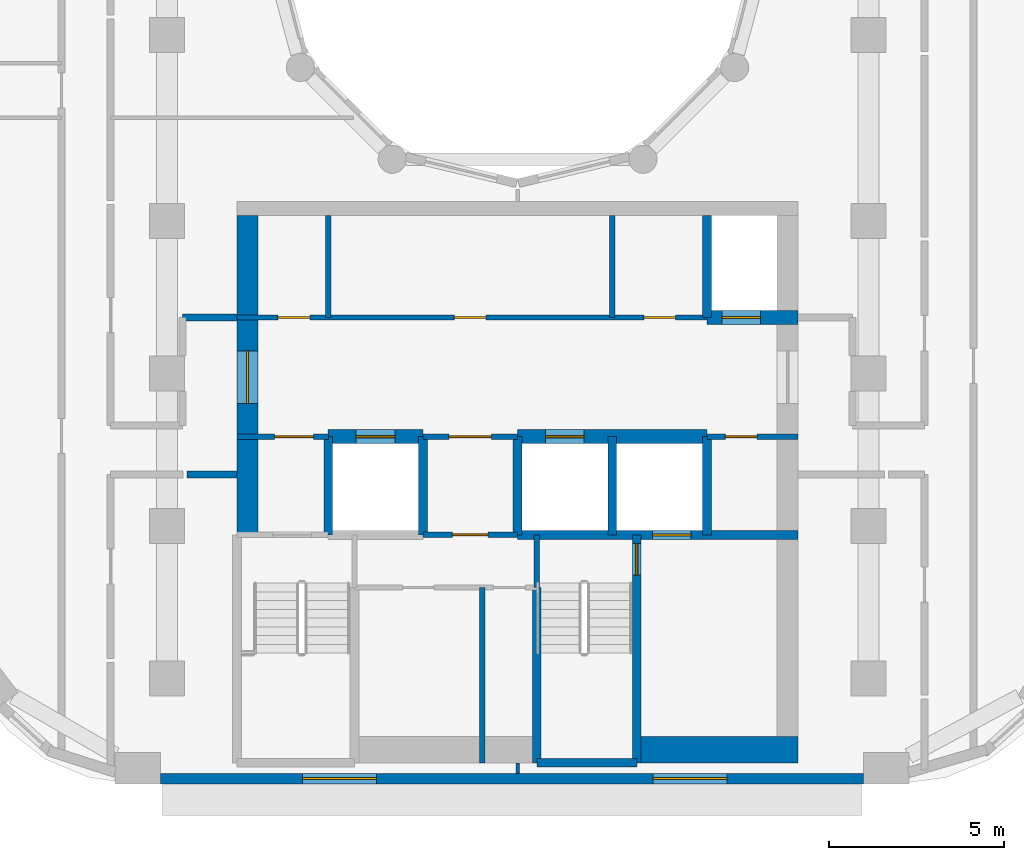
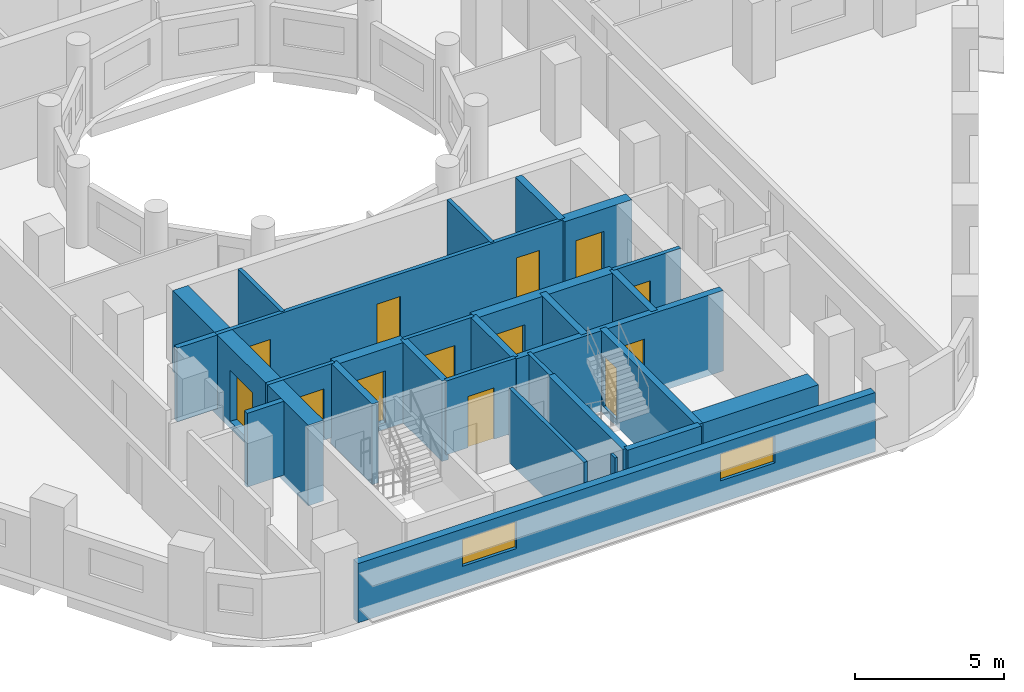
# One storey, part 3 of 13: 28 walls, 13 doors, 2 windows, 15 openings.
"""IFC4 building model written with IfcOpenShell, lengths in metres."""

from ifc_helpers import new_model, si_unit, direction, frame, frame_2d, origin, place, context, subcontext, project, spatial, rectangle, extrude, material, layer, layer_set, type_object, element, fill, save


model = new_model("IFC4")

# Units and contexts
model_context = context("Model", 3, precision=1e-05, world=origin(), true_north=direction((0.0, 1.0)))
body_context = subcontext(model_context, "Body", "Model", "MODEL_VIEW")
ifc_project = project(units=[si_unit("LENGTHUNIT", "METRE"), si_unit("AREAUNIT", "SQUARE_METRE"), si_unit("VOLUMEUNIT", "CUBIC_METRE"), si_unit("PLANEANGLEUNIT", "RADIAN"), si_unit("MASSUNIT", "GRAM", prefix="KILO")], contexts=[model_context])

# Site, building, storey
site_placement = place(None, origin())
site = spatial("IfcSite", under=ifc_project, at=site_placement, CompositionType="ELEMENT")
building_placement = place(site_placement, origin())
building = spatial("IfcBuilding", under=site, at=building_placement, Name="Nakaniwa Court", CompositionType="ELEMENT")
storey_placement = place(building_placement, frame((0.0, 0.0, 153.60009765625)))
storey = spatial("IfcBuildingStorey", under=building, at=storey_placement, Name="L40", CompositionType="ELEMENT", Elevation=153.60009765625)

# Walls
ifc_material_1 = material(Name="Acoustic double stud partition")
ifc_layer_1 = layer(ifc_material_1, 0.199951171875)
ifc_layer_set_1 = layer_set([ifc_layer_1], Name="Acoustic double stud partition")
wall_type_1 = type_object("IfcWallType", Name="Acoustic double stud partition 200", PredefinedType="PARTITIONING", material=ifc_layer_set_1)
wall_1_placement = place(storey_placement, frame((70.5771484375, 64.824951171875, 0.0), z_axis=(0.0, 0.0, 1.0), x_axis=(1.0, 0.0, 0.0)))
element("IfcWall", 1, at=wall_1_placement, inside=storey, type_object=wall_type_1, Name="Partition PW-077", PredefinedType="PARTITIONING", context=body_context, shape_type="SweptSolid", body=[
    extrude(rectangle(XDim=1.4228515625, YDim=0.199951171875, at=frame_2d((0.71142578125, 0.0))), origin(), (0.0, 0.0, 1.0), 3.02490234375),
])
wall_2_placement = place(storey_placement, frame((70.449951171875, 69.300048828125, 0.0), z_axis=(0.0, 0.0, 1.0), x_axis=(1.0, 0.0, 0.0)))
element("IfcWall", 2, at=wall_2_placement, inside=storey, type_object=wall_type_1, Name="Partition PW-081", PredefinedType="PARTITIONING", context=body_context, shape_type="SweptSolid", body=[
    extrude(rectangle(XDim=1.550048828125, YDim=0.199951171875, at=frame_2d((0.77490234375, 0.0))), origin(), (0.0, 0.0, 1.0), 3.02490234375),
])

# Wall, openings, windows
ifc_material_2 = material(Name="Charcoal ceramic cladding")
ifc_layer_2 = layer(ifc_material_2, 0.02, Name="Ceramic cladding")
ifc_material_3 = material(Name="Ventilated air cavity")
ifc_layer_3 = layer(ifc_material_3, 0.04, ventilated=True, Name="Ventilated cavity")
ifc_material_4 = material(Name="Mineral wool insulation")
ifc_layer_4 = layer(ifc_material_4, 0.1, Name="Insulation")
ifc_material_5 = material(Name="Cement bonded sheathing board")
ifc_layer_5 = layer(ifc_material_5, 0.012, Name="Sheathing")
ifc_material_6 = material(Name="Cold-formed galvanised stud frame with mineral wool infill")
ifc_layer_6 = layer(ifc_material_6, 0.1, Name="Stud frame")
ifc_material_7 = material(Name="Fire-rated gypsum plasterboard lining")
ifc_layer_7 = layer(ifc_material_7, 0.028, Name="Lining")
ifc_layer_set_2 = layer_set([ifc_layer_2, ifc_layer_3, ifc_layer_4, ifc_layer_5, ifc_layer_6, ifc_layer_7], Name="Charcoal ceramic faced external wall system")
wall_type_2 = type_object("IfcWallType", Name="Black ceramic faced external wall 300", PredefinedType="SOLIDWALL", material=ifc_layer_set_2)
wall_3_placement = place(storey_placement, frame((69.8212890625, 56.14990234375, 0.0), z_axis=(0.0, 0.0, 1.0), x_axis=(1.0, 0.0, 0.0)))
wall_3 = element("IfcWall", 3, at=wall_3_placement, inside=storey, type_object=wall_type_2, Name="L40 external wall 26", PredefinedType="SOLIDWALL", context=body_context, shape_type="SweptSolid", body=[
    extrude(rectangle(XDim=20.039794921875, YDim=0.300048828125, at=frame_2d((10.02001953125, 0.0))), origin(), (0.0, 0.0, 1.0), 2.4248046875),
])
opening_1_placement = place(wall_3_placement, frame((4.05126953125, 0.0, 0.89990234375)))
opening_1 = element("IfcOpeningElement", 4, at=opening_1_placement, cuts=wall_3, Name="Opening W7.25", PredefinedType="OPENING", context=body_context, shape_type="SweptSolid", body=[
    extrude(rectangle(XDim=2.10009765625, YDim=1.10009765625, at=frame_2d((1.050048828125, 0.550048828125))), frame((0.0, 0.159912109375, 0.0), z_axis=(0.0, -1.0, 0.0), x_axis=(1.0, 0.0, 0.0)), (0.0, 0.0, 1.0), 0.320068359375),
])
opening_2_placement = place(wall_3_placement, frame((14.047119140625, 0.0, 0.89990234375)))
opening_2 = element("IfcOpeningElement", 5, at=opening_2_placement, cuts=wall_3, Name="Opening W7.26", PredefinedType="OPENING", context=body_context, shape_type="SweptSolid", body=[
    extrude(rectangle(XDim=2.10009765625, YDim=1.10009765625, at=frame_2d((1.050048828125, 0.550048828125))), frame((0.0, 0.159912109375, 0.0), z_axis=(0.0, -1.0, 0.0), x_axis=(1.0, 0.0, 0.0)), (0.0, 0.0, 1.0), 0.320068359375),
])
ifc_material_8 = material(Name="Black anodised aluminium frame with dark low-E laminated double glazing", Category="aluminium")
window_type = type_object("IfcWindowType", Name="Dark glass window 2100x1100 sill 900", PartitioningType="SINGLE_PANEL", PredefinedType="WINDOW", material=ifc_material_8)
window_1_placement = place(opening_1_placement, origin())
window_1 = element("IfcWindow", 6, at=window_1_placement, inside=storey, type_object=window_type, Name="L40 habitable room window 26-0", OverallHeight=1.10009765625, OverallWidth=2.10009765625, PartitioningType="SINGLE_PANEL", PredefinedType="WINDOW", context=body_context, shape_type="SweptSolid", body=[
    extrude(rectangle(XDim=2.10009765625, YDim=1.10009765625, at=frame_2d((1.050048828125, 0.550048828125))), frame((0.0, 0.030029296875, 0.0), z_axis=(0.0, -1.0, 0.0), x_axis=(1.0, 0.0, 0.0)), (0.0, 0.0, 1.0), 0.06005859375),
])
fill(opening_1, window_1)
window_2_placement = place(opening_2_placement, origin())
window_2 = element("IfcWindow", 7, at=window_2_placement, inside=storey, type_object=window_type, Name="L40 habitable room window 26-1", OverallHeight=1.10009765625, OverallWidth=2.10009765625, PartitioningType="SINGLE_PANEL", PredefinedType="WINDOW", context=body_context, shape_type="SweptSolid", body=[
    extrude(rectangle(XDim=2.10009765625, YDim=1.10009765625, at=frame_2d((1.050048828125, 0.550048828125))), frame((0.0, 0.030029296875, 0.0), z_axis=(0.0, -1.0, 0.0), x_axis=(1.0, 0.0, 0.0)), (0.0, 0.0, 1.0), 0.06005859375),
])
fill(opening_2, window_2)

# Wall
ifc_material_9 = material(Name="Blockwork partition", Category="masonry")
ifc_layer_8 = layer(ifc_material_9, 0.14990234375)
ifc_layer_set_3 = layer_set([ifc_layer_8], Name="Blockwork partition")
wall_type_3 = type_object("IfcWallType", Name="Blockwork partition 150", PredefinedType="PARTITIONING", material=ifc_layer_set_3)
wall_4_placement = place(storey_placement, frame((74.60009765625, 69.300048828125, 0.0), z_axis=(0.0, 0.0, 1.0), x_axis=(0.0, 1.0, 0.0)))
element("IfcWall", 8, at=wall_4_placement, inside=storey, type_object=wall_type_3, Name="Partition PW-034", PredefinedType="PARTITIONING", context=body_context, shape_type="SweptSolid", body=[
    extrude(rectangle(XDim=2.89990234375, YDim=0.14990234375, at=frame_2d((1.449951171875, 0.0))), origin(), (0.0, 0.0, 1.0), 3.02490234375),
])

# Wall, openings, doors
wall_5_placement = place(storey_placement, frame((72.0, 69.300048828125, 0.0), z_axis=(0.0, 0.0, 1.0), x_axis=(1.0, 0.0, 0.0)))
wall_5 = element("IfcWall", 9, at=wall_5_placement, inside=storey, type_object=wall_type_3, Name="Partition PW-035", PredefinedType="PARTITIONING", context=body_context, shape_type="SweptSolid", body=[
    extrude(rectangle(XDim=13.39990234375, YDim=0.14990234375, at=frame_2d((6.699951171875, 0.0))), origin(), (0.0, 0.0, 1.0), 3.02490234375),
])
opening_3_placement = place(wall_5_placement, frame((1.175048828125, 0.0, 0.0)))
opening_3 = element("IfcOpeningElement", 10, at=opening_3_placement, cuts=wall_5, Name="Opening D-05-07", PredefinedType="OPENING", context=body_context, shape_type="SweptSolid", body=[
    extrude(rectangle(XDim=0.89990234375, YDim=2.10009765625, at=frame_2d((0.449951171875, 1.050048828125))), frame((0.0, 0.0849609375, 0.0), z_axis=(0.0, -1.0, 0.0), x_axis=(1.0, 0.0, 0.0)), (0.0, 0.0, 1.0), 0.169921875),
])
opening_4_placement = place(wall_5_placement, frame((6.199951171875, 0.0, 0.0)))
opening_4 = element("IfcOpeningElement", 11, at=opening_4_placement, cuts=wall_5, Name="Opening D-05-08", PredefinedType="OPENING", context=body_context, shape_type="SweptSolid", body=[
    extrude(rectangle(XDim=0.89990234375, YDim=2.10009765625, at=frame_2d((0.449951171875, 1.050048828125))), frame((0.0, 0.0849609375, 0.0), z_axis=(0.0, -1.0, 0.0), x_axis=(1.0, 0.0, 0.0)), (0.0, 0.0, 1.0), 0.169921875),
])
opening_5_placement = place(wall_5_placement, frame((11.60009765625, 0.0, 0.0)))
opening_5 = element("IfcOpeningElement", 12, at=opening_5_placement, cuts=wall_5, Name="Opening D-05-09", PredefinedType="OPENING", context=body_context, shape_type="SweptSolid", body=[
    extrude(rectangle(XDim=0.89990234375, YDim=2.10009765625, at=frame_2d((0.449951171875, 1.050048828125))), frame((0.0, 0.0849609375, 0.0), z_axis=(0.0, -1.0, 0.0), x_axis=(1.0, 0.0, 0.0)), (0.0, 0.0, 1.0), 0.169921875),
])
ifc_material_10 = material(Name="Fire rated steel door set", Category="steel")
door_type_1 = type_object("IfcDoorType", Name="Service room door 900", OperationType="NOTDEFINED", PredefinedType="DOOR", material=ifc_material_10)
door_1_placement = place(opening_3_placement, origin())
door_1 = element("IfcDoor", 13, at=door_1_placement, inside=storey, type_object=door_type_1, Name="Door D-05-07 L40-012", OperationType="SINGLE_SWING_LEFT", OverallHeight=2.10009765625, OverallWidth=0.89990234375, PredefinedType="DOOR", context=body_context, shape_type="SweptSolid", body=[
    extrude(rectangle(XDim=0.89990234375, YDim=2.10009765625, at=frame_2d((0.449951171875, 1.050048828125))), frame((0.0, 0.02490234375, 0.0), z_axis=(0.0, -1.0, 0.0), x_axis=(1.0, 0.0, 0.0)), (0.0, 0.0, 1.0), 0.050048828125),
])
fill(opening_3, door_1)
door_2_placement = place(opening_4_placement, origin())
door_2 = element("IfcDoor", 14, at=door_2_placement, inside=storey, type_object=door_type_1, Name="Door D-05-08 L40-013", OperationType="SINGLE_SWING_RIGHT", OverallHeight=2.10009765625, OverallWidth=0.89990234375, PredefinedType="DOOR", context=body_context, shape_type="SweptSolid", body=[
    extrude(rectangle(XDim=0.89990234375, YDim=2.10009765625, at=frame_2d((0.449951171875, 1.050048828125))), frame((0.0, 0.02490234375, 0.0), z_axis=(0.0, -1.0, 0.0), x_axis=(1.0, 0.0, 0.0)), (0.0, 0.0, 1.0), 0.050048828125),
])
fill(opening_4, door_2)
door_3_placement = place(opening_5_placement, origin())
door_3 = element("IfcDoor", 15, at=door_3_placement, inside=storey, type_object=door_type_1, Name="Door D-05-09 L40-014", OperationType="SINGLE_SWING_LEFT", OverallHeight=2.10009765625, OverallWidth=0.89990234375, PredefinedType="DOOR", context=body_context, shape_type="SweptSolid", body=[
    extrude(rectangle(XDim=0.89990234375, YDim=2.10009765625, at=frame_2d((0.449951171875, 1.050048828125))), frame((0.0, 0.02490234375, 0.0), z_axis=(0.0, -1.0, 0.0), x_axis=(1.0, 0.0, 0.0)), (0.0, 0.0, 1.0), 0.050048828125),
])
fill(opening_5, door_3)

# Wall
wall_6_placement = place(storey_placement, frame((82.699951171875, 69.300048828125, 0.0), z_axis=(0.0, 0.0, 1.0), x_axis=(0.0, 1.0, 0.0)))
element("IfcWall", 16, at=wall_6_placement, inside=storey, type_object=wall_type_3, Name="Partition PW-041", PredefinedType="PARTITIONING", context=body_context, shape_type="SweptSolid", body=[
    extrude(rectangle(XDim=2.89990234375, YDim=0.14990234375, at=frame_2d((1.449951171875, 0.0))), origin(), (0.0, 0.0, 1.0), 3.02490234375),
])

# Wall, opening, door
wall_7_placement = place(storey_placement, frame((74.60302734375, 65.89990234375, 0.0), z_axis=(0.0, 0.0, 1.0), x_axis=(-1.0, 0.0, 0.0)))
wall_7 = element("IfcWall", 17, at=wall_7_placement, inside=storey, type_object=wall_type_3, Name="Partition PW-042", PredefinedType="PARTITIONING", context=body_context, shape_type="SweptSolid", body=[
    extrude(rectangle(XDim=2.60302734375, YDim=0.14990234375, at=frame_2d((1.301513671875, 0.0))), origin(), (0.0, 0.0, 1.0), 3.02490234375),
])
opening_6_placement = place(wall_7_placement, frame((0.427978515625, 0.0, 0.0)))
opening_6 = element("IfcOpeningElement", 18, at=opening_6_placement, cuts=wall_7, Name="Opening D-08-02", PredefinedType="OPENING", context=body_context, shape_type="SweptSolid", body=[
    extrude(rectangle(XDim=1.10009765625, YDim=2.10009765625, at=frame_2d((0.550048828125, 1.050048828125))), frame((0.0, 0.0849609375, 0.0), z_axis=(0.0, -1.0, 0.0), x_axis=(1.0, 0.0, 0.0)), (0.0, 0.0, 1.0), 0.169921875),
])
door_type_2 = type_object("IfcDoorType", Name="Stair lobby door 1100", OperationType="NOTDEFINED", PredefinedType="DOOR", material=ifc_material_10)
door_4_placement = place(opening_6_placement, origin())
door_4 = element("IfcDoor", 19, at=door_4_placement, inside=storey, type_object=door_type_2, Name="Door D-08-02 L40-015", OperationType="SINGLE_SWING_RIGHT", OverallHeight=2.10009765625, OverallWidth=1.10009765625, PredefinedType="DOOR", context=body_context, shape_type="SweptSolid", body=[
    extrude(rectangle(XDim=1.10009765625, YDim=2.10009765625, at=frame_2d((0.550048828125, 1.050048828125))), frame((0.0, 0.02490234375, 0.0), z_axis=(0.0, -1.0, 0.0), x_axis=(1.0, 0.0, 0.0)), (0.0, 0.0, 1.0), 0.050048828125),
])
fill(opening_6, door_4)

wall_8_placement = place(storey_placement, frame((80.0029296875, 65.89990234375, 0.0), z_axis=(0.0, 0.0, 1.0), x_axis=(-1.0, 0.0, 0.0)))
wall_8 = element("IfcWall", 20, at=wall_8_placement, inside=storey, type_object=wall_type_3, Name="Partition PW-043", PredefinedType="PARTITIONING", context=body_context, shape_type="SweptSolid", body=[
    extrude(rectangle(XDim=2.705810546875, YDim=0.14990234375, at=frame_2d((1.35302734375, 0.0))), origin(), (0.0, 0.0, 1.0), 3.02490234375),
])
opening_7_placement = place(wall_8_placement, frame((0.7529296875, 0.0, 0.0)))
opening_7 = element("IfcOpeningElement", 21, at=opening_7_placement, cuts=wall_8, Name="Opening D-06-02", PredefinedType="OPENING", context=body_context, shape_type="SweptSolid", body=[
    extrude(rectangle(XDim=1.199951171875, YDim=2.10009765625, at=frame_2d((0.60009765625, 1.050048828125))), frame((0.0, 0.0849609375, 0.0), z_axis=(0.0, -1.0, 0.0), x_axis=(1.0, 0.0, 0.0)), (0.0, 0.0, 1.0), 0.169921875),
])
ifc_material_11 = material(Name="Fire rated steel double door set", Category="steel")
door_type_3 = type_object("IfcDoorType", Name="Service passage double door 1200", OperationType="NOTDEFINED", PredefinedType="DOOR", material=ifc_material_11)
door_5_placement = place(opening_7_placement, origin())
door_5 = element("IfcDoor", 22, at=door_5_placement, inside=storey, type_object=door_type_3, Name="Door D-06-02 L40-016", OperationType="DOUBLE_DOOR_SINGLE_SWING", OverallHeight=2.10009765625, OverallWidth=1.199951171875, PredefinedType="DOOR", context=body_context, shape_type="SweptSolid", body=[
    extrude(rectangle(XDim=1.199951171875, YDim=2.10009765625, at=frame_2d((0.60009765625, 1.050048828125))), frame((0.0, 0.02490234375, 0.0), z_axis=(0.0, -1.0, 0.0), x_axis=(1.0, 0.0, 0.0)), (0.0, 0.0, 1.0), 0.050048828125),
])
fill(opening_7, door_5)

wall_9_placement = place(storey_placement, frame((88.0, 65.89990234375, 0.0), z_axis=(0.0, 0.0, 1.0), x_axis=(-1.0, 0.0, 0.0)))
wall_9 = element("IfcWall", 23, at=wall_9_placement, inside=storey, type_object=wall_type_3, Name="Partition PW-044", PredefinedType="PARTITIONING", context=body_context, shape_type="SweptSolid", body=[
    extrude(rectangle(XDim=2.60302734375, YDim=0.14990234375, at=frame_2d((1.301513671875, 0.0))), origin(), (0.0, 0.0, 1.0), 3.02490234375),
])
opening_8_placement = place(wall_9_placement, frame((1.175048828125, 0.0, 0.0)))
opening_8 = element("IfcOpeningElement", 24, at=opening_8_placement, cuts=wall_9, Name="Opening D-05-10", PredefinedType="OPENING", context=body_context, shape_type="SweptSolid", body=[
    extrude(rectangle(XDim=0.89990234375, YDim=2.10009765625, at=frame_2d((0.449951171875, 1.050048828125))), frame((0.0, 0.0849609375, 0.0), z_axis=(0.0, -1.0, 0.0), x_axis=(1.0, 0.0, 0.0)), (0.0, 0.0, 1.0), 0.169921875),
])
door_6_placement = place(opening_8_placement, origin())
door_6 = element("IfcDoor", 25, at=door_6_placement, inside=storey, type_object=door_type_1, Name="Door D-05-10 L40-017", OperationType="SINGLE_SWING_RIGHT", OverallHeight=2.10009765625, OverallWidth=0.89990234375, PredefinedType="DOOR", context=body_context, shape_type="SweptSolid", body=[
    extrude(rectangle(XDim=0.89990234375, YDim=2.10009765625, at=frame_2d((0.449951171875, 1.050048828125))), frame((0.0, 0.02490234375, 0.0), z_axis=(0.0, -1.0, 0.0), x_axis=(1.0, 0.0, 0.0)), (0.0, 0.0, 1.0), 0.050048828125),
])
fill(opening_8, door_6)

wall_10_placement = place(storey_placement, frame((80.0, 63.10009765625, 0.0), z_axis=(0.0, 0.0, 1.0), x_axis=(-1.0, 0.0, 0.0)))
wall_10 = element("IfcWall", 26, at=wall_10_placement, inside=storey, type_object=wall_type_3, Name="Partition PW-053", PredefinedType="PARTITIONING", context=body_context, shape_type="SweptSolid", body=[
    extrude(rectangle(XDim=2.699951171875, YDim=0.14990234375, at=frame_2d((1.35009765625, 0.0))), origin(), (0.0, 0.0, 1.0), 3.02490234375),
])
opening_9_placement = place(wall_10_placement, frame((0.85009765625, 0.0, 0.0)))
opening_9 = element("IfcOpeningElement", 27, at=opening_9_placement, cuts=wall_10, Name="Opening D-23-02", PredefinedType="OPENING", context=body_context, shape_type="SweptSolid", body=[
    extrude(rectangle(XDim=1.0, YDim=2.10009765625, at=frame_2d((0.5, 1.050048828125))), frame((0.0, 0.0849609375, 0.0), z_axis=(0.0, -1.0, 0.0), x_axis=(1.0, 0.0, 0.0)), (0.0, 0.0, 1.0), 0.169921875),
])
door_type_4 = type_object("IfcDoorType", Name="Service room door 1000", OperationType="NOTDEFINED", PredefinedType="DOOR", material=ifc_material_10)
door_7_placement = place(opening_9_placement, origin())
door_7 = element("IfcDoor", 28, at=door_7_placement, inside=storey, type_object=door_type_4, Name="Door D-23-02 L40-018", OperationType="SINGLE_SWING_LEFT", OverallHeight=2.10009765625, OverallWidth=1.0, PredefinedType="DOOR", context=body_context, shape_type="SweptSolid", body=[
    extrude(rectangle(XDim=1.0, YDim=2.10009765625, at=frame_2d((0.5, 1.050048828125))), frame((0.0, 0.02490234375, 0.0), z_axis=(0.0, -1.0, 0.0), x_axis=(1.0, 0.0, 0.0)), (0.0, 0.0, 1.0), 0.050048828125),
])
fill(opening_9, door_7)

# Wall
wall_11_placement = place(storey_placement, frame((78.989990234375, 56.60009765625, 0.0), z_axis=(0.0, 0.0, 1.0), x_axis=(0.0, 1.0, 0.0)))
element("IfcWall", 29, at=wall_11_placement, inside=storey, type_object=wall_type_3, Name="Partition PW-066", PredefinedType="PARTITIONING", context=body_context, shape_type="SweptSolid", body=[
    extrude(rectangle(XDim=5.0, YDim=0.14990234375, at=frame_2d((2.5, 0.0))), origin(), (0.0, 0.0, 1.0), 3.02490234375),
])

# Wall, opening, door
ifc_material_12 = material(Name="Concrete C80/100", Category="concrete")
ifc_layer_9 = layer(ifc_material_12, 0.60009765625)
ifc_layer_set_4 = layer_set([ifc_layer_9], Name="Concrete C80/100")
wall_type_4 = type_object("IfcWallType", Name="Concrete core side wall 600 C80", PredefinedType="SHEAR", material=ifc_layer_set_4)
wall_12_placement = place(storey_placement, frame((72.300048828125, 63.10009765625, -0.275146484375), z_axis=(0.0, 0.0, 1.0), x_axis=(0.0, 1.0, 0.0)))
wall_12 = element("IfcWall", 30, at=wall_12_placement, inside=storey, type_object=wall_type_4, Name="Core wall SW-36", PredefinedType="SHEAR", context=body_context, shape_type="SweptSolid", body=[
    extrude(rectangle(XDim=9.099853515625, YDim=0.60009765625, at=frame_2d((4.5498046875, 0.0))), origin(), (0.0, 0.0, 1.0), 3.300048828125),
])
opening_10_placement = place(wall_12_placement, frame((3.748046875, 0.0, 0.27490234375)))
opening_10 = element("IfcOpeningElement", 31, at=opening_10_placement, cuts=wall_12, Name="Opening D-07-04", PredefinedType="OPENING", context=body_context, shape_type="SweptSolid", body=[
    extrude(rectangle(XDim=1.5, YDim=2.10009765625, at=frame_2d((0.75, 1.050048828125))), frame((0.0, 0.31005859375, 0.0), z_axis=(0.0, -1.0, 0.0), x_axis=(1.0, 0.0, 0.0)), (0.0, 0.0, 1.0), 0.6201171875),
])
ifc_material_13 = material(Name="Glazed fire rated steel double door set", Category="steel")
door_type_5 = type_object("IfcDoorType", Name="Lobby double door 1500", OperationType="NOTDEFINED", PredefinedType="DOOR", material=ifc_material_13)
door_8_placement = place(opening_10_placement, origin())
door_8 = element("IfcDoor", 32, at=door_8_placement, inside=storey, type_object=door_type_5, Name="Door D-07-04 L40-052", OperationType="DOUBLE_DOOR_SINGLE_SWING", OverallHeight=2.10009765625, OverallWidth=1.5, PredefinedType="DOOR", context=body_context, shape_type="SweptSolid", body=[
    extrude(rectangle(XDim=1.5, YDim=2.10009765625, at=frame_2d((0.75, 1.050048828125))), frame((0.0, 0.02490234375, 0.0), z_axis=(0.0, -1.0, 0.0), x_axis=(1.0, 0.0, 0.0)), (0.0, 0.0, 1.0), 0.050048828125),
])
fill(opening_10, door_8)

ifc_layer_10 = layer(ifc_material_12, 0.39990234375)
ifc_layer_set_5 = layer_set([ifc_layer_10], Name="Concrete C80/100")
wall_type_5 = type_object("IfcWallType", Name="Concrete core spine wall 400 C80", PredefinedType="SHEAR", material=ifc_layer_set_5)
wall_13_placement = place(storey_placement, frame((85.39990234375, 69.300048828125, -0.275146484375), z_axis=(0.0, 0.0, 1.0), x_axis=(1.0, 0.0, 0.0)))
wall_13 = element("IfcWall", 33, at=wall_13_placement, inside=storey, type_object=wall_type_5, Name="Core wall SW-39", PredefinedType="SHEAR", context=body_context, shape_type="SweptSolid", body=[
    extrude(rectangle(XDim=2.60009765625, YDim=0.39990234375, at=frame_2d((1.300048828125, 0.0))), origin(), (0.0, 0.0, 1.0), 3.300048828125),
])
opening_11_placement = place(wall_13_placement, frame((0.425048828125, 0.0, 0.27490234375)))
opening_11 = element("IfcOpeningElement", 34, at=opening_11_placement, cuts=wall_13, Name="Opening LD05", PredefinedType="OPENING", context=body_context, shape_type="SweptSolid", body=[
    extrude(rectangle(XDim=1.10009765625, YDim=2.10009765625, at=frame_2d((0.550048828125, 1.050048828125))), frame((0.0, 0.2099609375, 0.0), z_axis=(0.0, -1.0, 0.0), x_axis=(1.0, 0.0, 0.0)), (0.0, 0.0, 1.0), 0.419921875),
])
ifc_material_14 = material(Name="Stainless steel sliding lift landing door", Category="steel")
door_type_6 = type_object("IfcDoorType", Name="Lift landing door 1100", OperationType="NOTDEFINED", PredefinedType="DOOR", material=ifc_material_14)
door_9_placement = place(opening_11_placement, origin())
door_9 = element("IfcDoor", 35, at=door_9_placement, inside=storey, type_object=door_type_6, Name="Lift landing door LD05 L40-005", OperationType="SLIDING_TO_LEFT", OverallHeight=2.10009765625, OverallWidth=1.10009765625, PredefinedType="DOOR", context=body_context, shape_type="SweptSolid", body=[
    extrude(rectangle(XDim=1.10009765625, YDim=2.10009765625, at=frame_2d((0.550048828125, 1.050048828125))), frame((0.0, 0.02490234375, 0.0), z_axis=(0.0, -1.0, 0.0), x_axis=(1.0, 0.0, 0.0)), (0.0, 0.0, 1.0), 0.050048828125),
])
fill(opening_11, door_9)

wall_14_placement = place(storey_placement, frame((74.596923828125, 65.89990234375, -0.275146484375), z_axis=(0.0, 0.0, 1.0), x_axis=(1.0, 0.0, 0.0)))
wall_14 = element("IfcWall", 36, at=wall_14_placement, inside=storey, type_object=wall_type_5, Name="Core wall SW-45", PredefinedType="SHEAR", context=body_context, shape_type="SweptSolid", body=[
    extrude(rectangle(XDim=2.7060546875, YDim=0.39990234375, at=frame_2d((1.35302734375, 0.0))), origin(), (0.0, 0.0, 1.0), 3.300048828125),
])
opening_12_placement = place(wall_14_placement, frame((0.802978515625, 0.0, 0.27490234375)))
opening_12 = element("IfcOpeningElement", 37, at=opening_12_placement, cuts=wall_14, Name="Opening LD06", PredefinedType="OPENING", context=body_context, shape_type="SweptSolid", body=[
    extrude(rectangle(XDim=1.10009765625, YDim=2.10009765625, at=frame_2d((0.550048828125, 1.050048828125))), frame((0.0, 0.2099609375, 0.0), z_axis=(0.0, -1.0, 0.0), x_axis=(1.0, 0.0, 0.0)), (0.0, 0.0, 1.0), 0.419921875),
])
door_10_placement = place(opening_12_placement, origin())
door_10 = element("IfcDoor", 38, at=door_10_placement, inside=storey, type_object=door_type_6, Name="Lift landing door LD06 L40-006", OperationType="SLIDING_TO_LEFT", OverallHeight=2.10009765625, OverallWidth=1.10009765625, PredefinedType="DOOR", context=body_context, shape_type="SweptSolid", body=[
    extrude(rectangle(XDim=1.10009765625, YDim=2.10009765625, at=frame_2d((0.550048828125, 1.050048828125))), frame((0.0, 0.02490234375, 0.0), z_axis=(0.0, -1.0, 0.0), x_axis=(1.0, 0.0, 0.0)), (0.0, 0.0, 1.0), 0.050048828125),
])
fill(opening_12, door_10)

wall_15_placement = place(storey_placement, frame((79.9970703125, 65.89990234375, -0.275146484375), z_axis=(0.0, 0.0, 1.0), x_axis=(1.0, 0.0, 0.0)))
wall_15 = element("IfcWall", 39, at=wall_15_placement, inside=storey, type_object=wall_type_5, Name="Core wall SW-46", PredefinedType="SHEAR", context=body_context, shape_type="SweptSolid", body=[
    extrude(rectangle(XDim=5.406005859375, YDim=0.39990234375, at=frame_2d((2.703125, 0.0))), origin(), (0.0, 0.0, 1.0), 3.300048828125),
])
opening_13_placement = place(wall_15_placement, frame((0.802978515625, 0.0, 0.27490234375)))
opening_13 = element("IfcOpeningElement", 40, at=opening_13_placement, cuts=wall_15, Name="Opening LD07", PredefinedType="OPENING", context=body_context, shape_type="SweptSolid", body=[
    extrude(rectangle(XDim=1.10009765625, YDim=2.10009765625, at=frame_2d((0.550048828125, 1.050048828125))), frame((0.0, 0.2099609375, 0.0), z_axis=(0.0, -1.0, 0.0), x_axis=(1.0, 0.0, 0.0)), (0.0, 0.0, 1.0), 0.419921875),
])
door_11_placement = place(opening_13_placement, origin())
door_11 = element("IfcDoor", 41, at=door_11_placement, inside=storey, type_object=door_type_6, Name="Lift landing door LD07 L40-007", OperationType="SLIDING_TO_LEFT", OverallHeight=2.10009765625, OverallWidth=1.10009765625, PredefinedType="DOOR", context=body_context, shape_type="SweptSolid", body=[
    extrude(rectangle(XDim=1.10009765625, YDim=2.10009765625, at=frame_2d((0.550048828125, 1.050048828125))), frame((0.0, 0.02490234375, 0.0), z_axis=(0.0, -1.0, 0.0), x_axis=(1.0, 0.0, 0.0)), (0.0, 0.0, 1.0), 0.050048828125),
])
fill(opening_13, door_11)

# Walls
ifc_layer_11 = layer(ifc_material_12, 0.14990234375)
ifc_layer_set_6 = layer_set([ifc_layer_11], Name="Concrete C80/100")
wall_type_6 = type_object("IfcWallType", Name="Concrete core wall 150 C80", PredefinedType="SHEAR", material=ifc_layer_set_6)
wall_16_placement = place(storey_placement, frame((80.550048828125, 61.596923828125, -0.275146484375), z_axis=(0.0, 0.0, 1.0), x_axis=(0.0, 1.0, 0.0)))
element("IfcWall", 42, at=wall_16_placement, inside=storey, type_object=wall_type_6, Name="Core wall SW-61", PredefinedType="SHEAR", context=body_context, shape_type="SweptSolid", body=[
    extrude(rectangle(XDim=1.503173828125, YDim=0.14990234375, at=frame_2d((0.75146484375, 0.0))), origin(), (0.0, 0.0, 1.0), 3.300048828125),
])
ifc_layer_12 = layer(ifc_material_12, 0.25)
ifc_layer_set_7 = layer_set([ifc_layer_12], Name="Concrete C80/100")
wall_type_7 = type_object("IfcWallType", Name="Concrete core wall 250 C80", PredefinedType="SHEAR", material=ifc_layer_set_7)
wall_17_placement = place(storey_placement, frame((80.550048828125, 56.60009765625, -0.275146484375), z_axis=(0.0, 0.0, 1.0), x_axis=(1.0, 0.0, 0.0)))
element("IfcWall", 43, at=wall_17_placement, inside=storey, type_object=wall_type_7, Name="Core wall SW-59", PredefinedType="SHEAR", context=body_context, shape_type="SweptSolid", body=[
    extrude(rectangle(XDim=2.849853515625, YDim=0.25, at=frame_2d((1.4248046875, 0.0))), origin(), (0.0, 0.0, 1.0), 3.300048828125),
])
ifc_layer_13 = layer(ifc_material_12, 0.75)
ifc_layer_set_8 = layer_set([ifc_layer_13], Name="Concrete C80/100")
wall_type_8 = type_object("IfcWallType", Name="Concrete core wall 750 C80", PredefinedType="SHEAR", material=ifc_layer_set_8)
wall_18_placement = place(storey_placement, frame((83.39990234375, 56.97509765625, -0.275146484375), z_axis=(0.0, 0.0, 1.0), x_axis=(1.0, 0.0, 0.0)))
element("IfcWall", 44, at=wall_18_placement, inside=storey, type_object=wall_type_8, Name="Core wall SW-64", PredefinedType="SHEAR", context=body_context, shape_type="SweptSolid", body=[
    extrude(rectangle(XDim=4.60009765625, YDim=0.75, at=frame_2d((2.300048828125, 0.0))), origin(), (0.0, 0.0, 1.0), 3.300048828125),
])
ifc_layer_14 = layer(ifc_material_12, 0.25)
ifc_layer_set_9 = layer_set([ifc_layer_14], Name="Concrete C80/100")
wall_type_9 = type_object("IfcWallType", Name="Concrete shaft wall 250 C80", PredefinedType="SHEAR", material=ifc_layer_set_9)
wall_19_placement = place(storey_placement, frame((85.39990234375, 63.10009765625, -0.275146484375), z_axis=(0.0, 0.0, 1.0), x_axis=(0.0, 1.0, 0.0)))
element("IfcWall", 45, at=wall_19_placement, inside=storey, type_object=wall_type_9, Name="Core wall SW-37", PredefinedType="SHEAR", context=body_context, shape_type="SweptSolid", body=[
    extrude(rectangle(XDim=2.7998046875, YDim=0.25, at=frame_2d((1.39990234375, 0.0))), origin(), (0.0, 0.0, 1.0), 3.300048828125),
])
wall_20_placement = place(storey_placement, frame((85.39990234375, 69.300048828125, -0.275146484375), z_axis=(0.0, 0.0, 1.0), x_axis=(0.0, 1.0, 0.0)))
element("IfcWall", 46, at=wall_20_placement, inside=storey, type_object=wall_type_9, Name="Core wall SW-38", PredefinedType="SHEAR", context=body_context, shape_type="SweptSolid", body=[
    extrude(rectangle(XDim=2.89990234375, YDim=0.25, at=frame_2d((1.449951171875, 0.0))), origin(), (0.0, 0.0, 1.0), 3.300048828125),
])
for number, where, z_axis, x_axis, name in (
    (47, (74.60009765625, 63.10009765625, -0.275146484375), (0.0, 0.0, 1.0), (0.0, 1.0, 0.0), "Core wall SW-47"),
    (48, (77.300048828125, 63.10009765625, -0.275146484375), (0.0, 0.0, 1.0), (0.0, 1.0, 0.0), "Core wall SW-49"),
):
    element("IfcWall", number, at=place(storey_placement, frame(where, z_axis=z_axis, x_axis=x_axis)), inside=storey, type_object=wall_type_9, Name=name, PredefinedType="SHEAR", context=body_context, shape_type="SweptSolid", body=[
        extrude(rectangle(XDim=2.7998046875, YDim=0.25, at=frame_2d((1.39990234375, 0.0))), origin(), (0.0, 0.0, 1.0), 3.300048828125),
    ])

# Wall, opening, door
wall_21_placement = place(storey_placement, frame((80.0, 63.10009765625, -0.275146484375), z_axis=(0.0, 0.0, 1.0), x_axis=(1.0, 0.0, 0.0)))
wall_21 = element("IfcWall", 49, at=wall_21_placement, inside=storey, type_object=wall_type_9, Name="Core wall SW-51", PredefinedType="SHEAR", context=body_context, shape_type="SweptSolid", body=[
    extrude(rectangle(XDim=8.0, YDim=0.25, at=frame_2d((4.0, 0.0))), origin(), (0.0, 0.0, 1.0), 3.300048828125),
])
opening_14_placement = place(wall_21_placement, frame((3.84912109375, 0.0, 0.27490234375)))
opening_14 = element("IfcOpeningElement", 50, at=opening_14_placement, cuts=wall_21, Name="Opening LD08", PredefinedType="OPENING", context=body_context, shape_type="SweptSolid", body=[
    extrude(rectangle(XDim=1.10009765625, YDim=2.10009765625, at=frame_2d((0.550048828125, 1.050048828125))), frame((0.0, 0.135009765625, 0.0), z_axis=(0.0, -1.0, 0.0), x_axis=(1.0, 0.0, 0.0)), (0.0, 0.0, 1.0), 0.27001953125),
])
door_12_placement = place(opening_14_placement, origin())
door_12 = element("IfcDoor", 51, at=door_12_placement, inside=storey, type_object=door_type_6, Name="Lift landing door LD08 L40-008", OperationType="SLIDING_TO_LEFT", OverallHeight=2.10009765625, OverallWidth=1.10009765625, PredefinedType="DOOR", context=body_context, shape_type="SweptSolid", body=[
    extrude(rectangle(XDim=1.10009765625, YDim=2.10009765625, at=frame_2d((0.550048828125, 1.050048828125))), frame((0.0, 0.02490234375, 0.0), z_axis=(0.0, -1.0, 0.0), x_axis=(1.0, 0.0, 0.0)), (0.0, 0.0, 1.0), 0.050048828125),
])
fill(opening_14, door_12)

# Walls
for number, where, z_axis, x_axis, name in (
    (52, (80.0, 63.10009765625, -0.275146484375), (0.0, 0.0, 1.0), (0.0, 1.0, 0.0), "Core wall SW-52"),
    (53, (82.699951171875, 63.10009765625, -0.275146484375), (0.0, 0.0, 1.0), (0.0, 1.0, 0.0), "Core wall SW-54"),
):
    element("IfcWall", number, at=place(storey_placement, frame(where, z_axis=z_axis, x_axis=x_axis)), inside=storey, type_object=wall_type_9, Name=name, PredefinedType="SHEAR", context=body_context, shape_type="SweptSolid", body=[
        extrude(rectangle(XDim=2.7998046875, YDim=0.25, at=frame_2d((1.39990234375, 0.0))), origin(), (0.0, 0.0, 1.0), 3.300048828125),
    ])

# Wall, opening, door
wall_22_placement = place(storey_placement, frame((83.39990234375, 63.10009765625, -0.275146484375), z_axis=(0.0, 0.0, 1.0), x_axis=(0.0, -1.0, 0.0)))
wall_22 = element("IfcWall", 54, at=wall_22_placement, inside=storey, type_object=wall_type_9, Name="Core wall SW-60", PredefinedType="SHEAR", context=body_context, shape_type="SweptSolid", body=[
    extrude(rectangle(XDim=6.5, YDim=0.25, at=frame_2d((3.25, 0.0))), origin(), (0.0, 0.0, 1.0), 3.300048828125),
])
opening_15_placement = place(wall_22_placement, frame((0.25, 0.0, 0.27490234375)))
opening_15 = element("IfcOpeningElement", 55, at=opening_15_placement, cuts=wall_22, Name="Opening D-11-02", PredefinedType="OPENING", context=body_context, shape_type="SweptSolid", body=[
    extrude(rectangle(XDim=0.89990234375, YDim=2.10009765625, at=frame_2d((0.449951171875, 1.050048828125))), frame((0.0, 0.135009765625, 0.0), z_axis=(0.0, -1.0, 0.0), x_axis=(1.0, 0.0, 0.0)), (0.0, 0.0, 1.0), 0.27001953125),
])
door_type_7 = type_object("IfcDoorType", Name="Stair door 900", OperationType="NOTDEFINED", PredefinedType="DOOR", material=ifc_material_10)
door_13_placement = place(opening_15_placement, origin())
door_13 = element("IfcDoor", 56, at=door_13_placement, inside=storey, type_object=door_type_7, Name="Door D-11-02 L40-022", OperationType="SINGLE_SWING_RIGHT", OverallHeight=2.10009765625, OverallWidth=0.89990234375, PredefinedType="DOOR", context=body_context, shape_type="SweptSolid", body=[
    extrude(rectangle(XDim=0.89990234375, YDim=2.10009765625, at=frame_2d((0.449951171875, 1.050048828125))), frame((0.0, 0.02490234375, 0.0), z_axis=(0.0, -1.0, 0.0), x_axis=(1.0, 0.0, 0.0)), (0.0, 0.0, 1.0), 0.050048828125),
])
fill(opening_15, door_13)

# Walls
wall_23_placement = place(storey_placement, frame((80.550048828125, 56.60009765625, -0.275146484375), z_axis=(0.0, 0.0, 1.0), x_axis=(0.0, 1.0, 0.0)))
element("IfcWall", 57, at=wall_23_placement, inside=storey, type_object=wall_type_9, Name="Core wall SW-62", PredefinedType="SHEAR", context=body_context, shape_type="SweptSolid", body=[
    extrude(rectangle(XDim=5.0029296875, YDim=0.25, at=frame_2d((2.50146484375, 0.0))), origin(), (0.0, 0.0, 1.0), 3.300048828125),
])
ifc_material_15 = material(Name="Single stud plasterboard partition")
ifc_layer_15 = layer(ifc_material_15, 0.10009765625)
ifc_layer_set_10 = layer_set([ifc_layer_15], Name="Single stud plasterboard partition")
wall_type_10 = type_object("IfcWallType", Name="Single stud plasterboard partition 100", PredefinedType="PARTITIONING", material=ifc_layer_set_10)
wall_24_placement = place(storey_placement, frame((80.0, 56.300048828125, 0.0), z_axis=(0.0, 0.0, 1.0), x_axis=(0.0, 1.0, 0.0)))
element("IfcWall", 58, at=wall_24_placement, inside=storey, type_object=wall_type_10, Name="Partition PW-111", PredefinedType="PARTITIONING", context=body_context, shape_type="SweptSolid", body=[
    extrude(rectangle(XDim=0.300048828125, YDim=0.10009765625, at=frame_2d((0.14990234375, 0.0))), origin(), (0.0, 0.0, 1.0), 3.02490234375),
])

save(model, "model.ifc")
